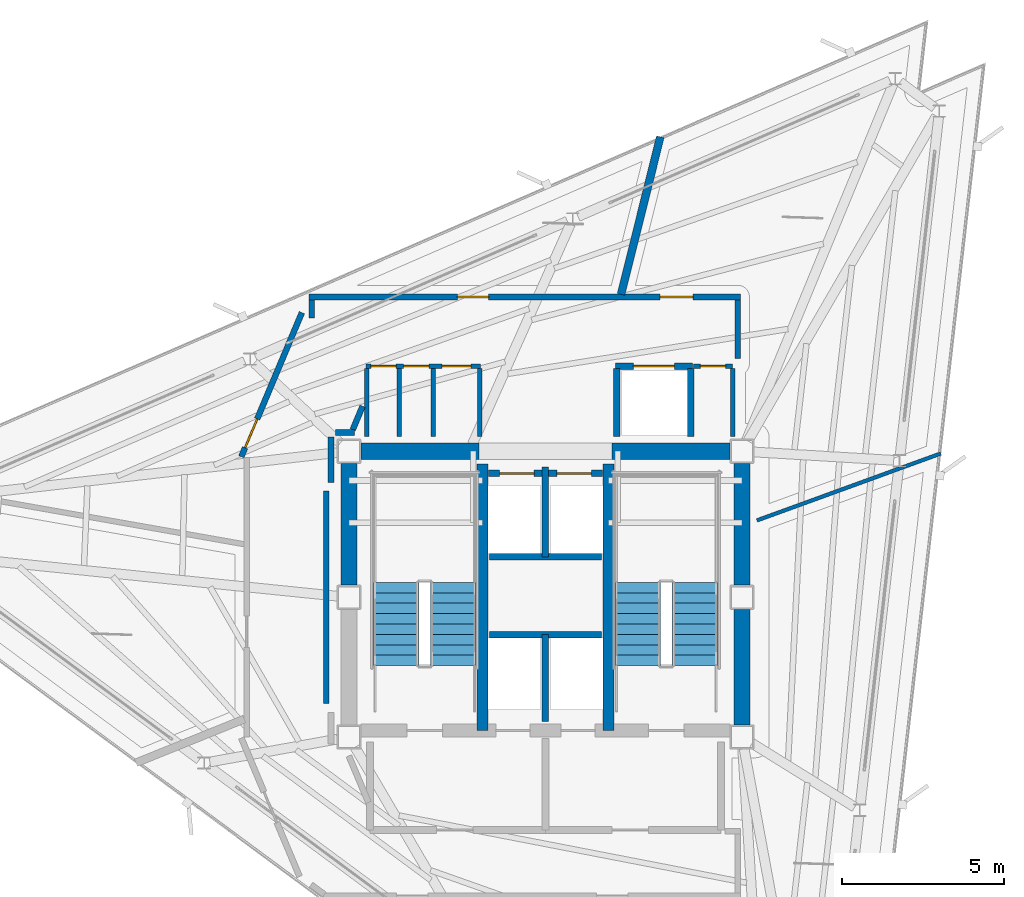
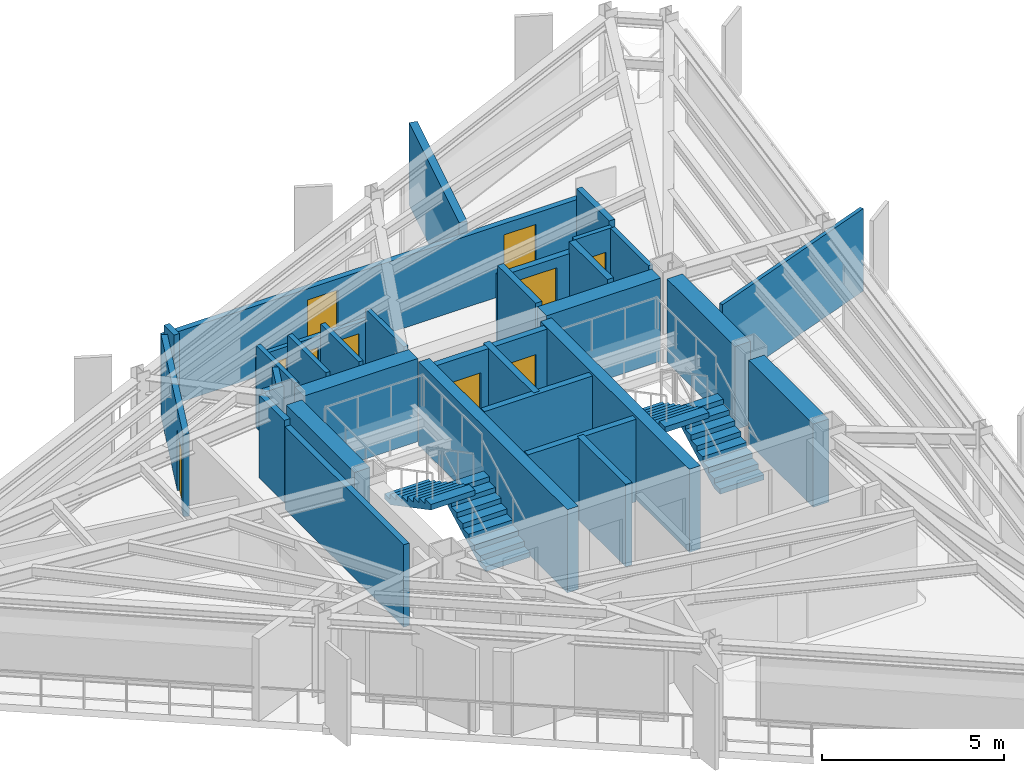
# One storey, part 6 of 10: 32 walls, 10 doors, 4 stair flights, 10 openings, 2 elements without a shape of their own.
"""IFC4 building model written with IfcOpenShell, lengths in metres."""

from ifc_helpers import new_model, si_unit, direction, frame, frame_2d, origin, place, context, subcontext, project, spatial, polyline, rectangle, outline, extrude, material, layer, layer_set, type_object, element, fill, aggregate, save


model = new_model("IFC4")

# Units and contexts
model_context = context("Model", 3, precision=1e-05, world=origin(), true_north=direction((0.0, 1.0)))
body_context = subcontext(model_context, "Body", "Model", "MODEL_VIEW")
ifc_project = project(units=[si_unit("LENGTHUNIT", "METRE"), si_unit("AREAUNIT", "SQUARE_METRE"), si_unit("VOLUMEUNIT", "CUBIC_METRE"), si_unit("PLANEANGLEUNIT", "RADIAN"), si_unit("MASSUNIT", "GRAM", prefix="KILO")], contexts=[model_context])

# Site, building, storey
site_placement = place(None, origin())
site = spatial("IfcSite", under=ifc_project, at=site_placement, CompositionType="ELEMENT")
building_placement = place(site_placement, origin())
building = spatial("IfcBuilding", under=site, at=building_placement, Name="Rocaltana Carrier Exchange", CompositionType="ELEMENT")
storey_placement = place(building_placement, frame((0.0, 0.0, 217.919921875)))
storey = spatial("IfcBuildingStorey", under=building, at=storey_placement, Name="L69", CompositionType="ELEMENT", Elevation=217.919921875)

# Walls
ifc_material_1 = material(Name="Concrete C50/60", Category="concrete")
ifc_layer_1 = layer(ifc_material_1, 0.35009765625)
ifc_layer_set_1 = layer_set([ifc_layer_1], Name="Concrete C50/60")
wall_type_1 = type_object("IfcWallType", Name="Core Internal Shear Wall 350", PredefinedType="SHEAR", material=ifc_layer_set_1)
for number, where, z_axis, x_axis, name in (
    (1, (-1.93994140625, -4.10009765625, 0.0), (0.0, 0.0, 1.0), (0.0, 1.0, 0.0), "L69 Core Shear Wall CW-STW"),
    (2, (1.93994140625, -4.10009765625, 0.0), (0.0, 0.0, 1.0), (0.0, 1.0, 0.0), "L69 Core Shear Wall CW-STE"),
):
    element("IfcWall", number, at=place(storey_placement, frame(where, z_axis=z_axis, x_axis=x_axis)), inside=storey, type_object=wall_type_1, Name=name, PredefinedType="SHEAR", context=body_context, shape_type="SweptSolid", body=[
        extrude(rectangle(XDim=8.2001953125, YDim=0.35009765625, at=frame_2d((4.10009765625, 0.0))), origin(), (0.0, 0.0, 1.0), 2.798095703125),
    ])
ifc_material_2 = material(Name="Concrete C50/60", Category="concrete")
ifc_layer_2 = layer(ifc_material_2, 0.5)
ifc_layer_set_2 = layer_set([ifc_layer_2], Name="Concrete C50/60")
wall_type_2 = type_object("IfcWallType", Name="Core Shear Wall 500", PredefinedType="SHEAR", material=ifc_layer_set_2)
for number, where, z_axis, x_axis, name in (
    (3, (-6.050048828125, 0.375, 0.0), (0.0, 0.0, 1.0), (0.0, 1.0, 0.0), "L69 Core Shear Wall CW-WN"),
    (4, (6.050048828125, 0.375, 0.0), (0.0, 0.0, 1.0), (0.0, 1.0, 0.0), "L69 Core Shear Wall CW-EN"),
):
    element("IfcWall", number, at=place(storey_placement, frame(where, z_axis=z_axis, x_axis=x_axis)), inside=storey, type_object=wall_type_2, Name=name, PredefinedType="SHEAR", context=body_context, shape_type="SweptSolid", body=[
        extrude(rectangle(XDim=3.75, YDim=0.5, at=frame_2d((1.875, 0.0))), origin(), (0.0, 0.0, 1.0), 2.798095703125),
    ])
wall_1_placement = place(storey_placement, frame((6.050048828125, -3.925048828125, 0.0), z_axis=(0.0, 0.0, 1.0), x_axis=(0.0, 1.0, 0.0)))
element("IfcWall", 5, at=wall_1_placement, inside=storey, type_object=wall_type_2, Name="L69 Core Shear Wall CW-ES", PredefinedType="SHEAR", context=body_context, shape_type="SweptSolid", body=[
    extrude(rectangle(XDim=3.550048828125, YDim=0.5, at=frame_2d((1.77490234375, 0.0))), origin(), (0.0, 0.0, 1.0), 2.798095703125),
])
for number, where, z_axis, x_axis, name in (
    (6, (-5.675048828125, 4.5, 0.0), (0.0, 0.0, 1.0), (1.0, 0.0, 0.0), "L69 Core Shear Wall CW-N1"),
    (7, (2.050048828125, 4.5, 0.0), (0.0, 0.0, 1.0), (1.0, 0.0, 0.0), "L69 Core Shear Wall CW-N2"),
):
    element("IfcWall", number, at=place(storey_placement, frame(where, z_axis=z_axis, x_axis=x_axis)), inside=storey, type_object=wall_type_2, Name=name, PredefinedType="SHEAR", context=body_context, shape_type="SweptSolid", body=[
        extrude(rectangle(XDim=3.625, YDim=0.5, at=frame_2d((1.8125, 0.0))), origin(), (0.0, 0.0, 1.0), 2.798095703125),
    ])

# Wall, opening, door
ifc_material_3 = material(Name="Gypsum & Steel Stud Partition", Category="steel")
ifc_layer_3 = layer(ifc_material_3, 0.179931640625)
ifc_layer_set_3 = layer_set([ifc_layer_3], Name="Gypsum & Steel Stud Partition")
wall_type_3 = type_object("IfcWallType", Name="Corridor Fire Partition 180 EI60", PredefinedType="PARTITIONING", material=ifc_layer_set_3)
wall_2_placement = place(storey_placement, frame((-9.36669921875, 4.331787109375, 0.0), z_axis=(0.0, 0.0, 1.0), x_axis=(0.387573945081, 0.921838617706, 0.0)))
wall_2 = element("IfcWall", 8, at=wall_2_placement, inside=storey, type_object=wall_type_3, Name="L69 Corridor Partition 3", PredefinedType="PARTITIONING", context=body_context, shape_type="SweptSolid", body=[
    extrude(rectangle(XDim=4.813232421875, YDim=0.179931640625, at=frame_2d((2.40673828125, 0.0))), origin(), (0.0, 0.0, 1.0), 2.773193359375),
])
opening_1_placement = place(wall_2_placement, frame((0.302490234375, 0.0, 0.0)))
opening_1 = element("IfcOpeningElement", 9, at=opening_1_placement, cuts=wall_2, Name="Opening D-RM098", PredefinedType="OPENING", context=body_context, shape_type="SweptSolid", body=[
    extrude(rectangle(XDim=0.9599609375, YDim=2.02001953125, at=frame_2d((0.47998046875, 1.010009765625))), frame((0.0, 0.099853515625, 0.0), z_axis=(0.0, -1.0, 0.0), x_axis=(1.0, 0.0, 0.0)), (0.0, 0.0, 1.0), 0.199951171875),
])
ifc_material_4 = material(Name="Engineered Hardwood Timber", Category="wood")
door_type_1 = type_object("IfcDoorType", Name="Workspace Single Door 960x2020", OperationType="NOTDEFINED", PredefinedType="DOOR", material=ifc_material_4)
door_1_placement = place(opening_1_placement, origin())
door_1 = element("IfcDoor", 10, at=door_1_placement, inside=storey, type_object=door_type_1, Name="L69 Quiet Focus Lounge Entrance Door", OperationType="SINGLE_SWING_RIGHT", OverallHeight=2.02001953125, OverallWidth=0.9599609375, PredefinedType="DOOR", context=body_context, shape_type="SweptSolid", body=[
    extrude(rectangle(XDim=0.9599609375, YDim=2.02001953125, at=frame_2d((0.47998046875, 1.010009765625))), frame((0.0, 0.02490234375, 0.0), z_axis=(0.0, -1.0, 0.0), x_axis=(1.0, 0.0, 0.0)), (0.0, 0.0, 1.0), 0.050048828125),
])
fill(opening_1, door_1)

# Wall
wall_3_placement = place(storey_placement, frame((-7.199951171875, 8.6005859375, 0.0), z_axis=(0.0, 0.0, 1.0), x_axis=(0.0, 1.0, 0.0)))
element("IfcWall", 11, at=wall_3_placement, inside=storey, type_object=wall_type_3, Name="L69 Corridor Partition 4", PredefinedType="PARTITIONING", context=body_context, shape_type="SweptSolid", body=[
    extrude(rectangle(XDim=0.559326171875, YDim=0.179931640625, at=frame_2d((0.27978515625, 0.0))), origin(), (0.0, 0.0, 1.0), 2.773193359375),
])

# Wall, openings, doors
wall_4_placement = place(storey_placement, frame((-7.2900390625, 9.25, 0.0), z_axis=(0.0, 0.0, 1.0), x_axis=(1.0, 0.0, 0.0)))
wall_4 = element("IfcWall", 12, at=wall_4_placement, inside=storey, type_object=wall_type_3, Name="L69 Corridor Partition 5", PredefinedType="PARTITIONING", context=body_context, shape_type="SweptSolid", body=[
    extrude(rectangle(XDim=13.300048828125, YDim=0.179931640625, at=frame_2d((6.64990234375, 0.0))), origin(), (0.0, 0.0, 1.0), 2.39501953125),
])
opening_2_placement = place(wall_4_placement, frame((10.819091796875, 0.0, 0.0)))
opening_2 = element("IfcOpeningElement", 13, at=opening_2_placement, cuts=wall_4, Name="Opening D-LB104", PredefinedType="OPENING", context=body_context, shape_type="SweptSolid", body=[
    extrude(rectangle(XDim=1.02001953125, YDim=2.02001953125, at=frame_2d((0.510009765625, 1.010009765625))), frame((0.0, 0.099853515625, 0.0), z_axis=(0.0, -1.0, 0.0), x_axis=(1.0, 0.0, 0.0)), (0.0, 0.0, 1.0), 0.199951171875),
])
opening_3_placement = place(wall_4_placement, frame((4.5751953125, 0.0, 0.0)))
opening_3 = element("IfcOpeningElement", 14, at=opening_3_placement, cuts=wall_4, Name="Opening D-RM098", PredefinedType="OPENING", context=body_context, shape_type="SweptSolid", body=[
    extrude(rectangle(XDim=0.9599609375, YDim=2.02001953125, at=frame_2d((0.47998046875, 1.010009765625))), frame((0.0, 0.099853515625, 0.0), z_axis=(0.0, -1.0, 0.0), x_axis=(1.0, 0.0, 0.0)), (0.0, 0.0, 1.0), 0.199951171875),
])
ifc_material_5 = material(Name="Powder-Coated Aluminium 6063-T6", Category="aluminium")
door_type_2 = type_object("IfcDoorType", Name="Laboratory Acoustic Door 1020x2020", OperationType="NOTDEFINED", PredefinedType="DOOR", material=ifc_material_5)
door_2_placement = place(opening_2_placement, origin())
door_2 = element("IfcDoor", 15, at=door_2_placement, inside=storey, type_object=door_type_2, Name="L69 Protocol Calibration Laboratory Entrance Door", OperationType="SINGLE_SWING_RIGHT", OverallHeight=2.02001953125, OverallWidth=1.02001953125, PredefinedType="DOOR", context=body_context, shape_type="SweptSolid", body=[
    extrude(rectangle(XDim=1.02001953125, YDim=2.02001953125, at=frame_2d((0.510009765625, 1.010009765625))), frame((0.0, 0.02490234375, 0.0), z_axis=(0.0, -1.0, 0.0), x_axis=(1.0, 0.0, 0.0)), (0.0, 0.0, 1.0), 0.050048828125),
])
fill(opening_2, door_2)
door_3_placement = place(opening_3_placement, origin())
door_3 = element("IfcDoor", 16, at=door_3_placement, inside=storey, type_object=door_type_1, Name="L69 Network Engineering Studio Entrance Door", OperationType="SINGLE_SWING_LEFT", OverallHeight=2.02001953125, OverallWidth=0.9599609375, PredefinedType="DOOR", context=body_context, shape_type="SweptSolid", body=[
    extrude(rectangle(XDim=0.9599609375, YDim=2.02001953125, at=frame_2d((0.47998046875, 1.010009765625))), frame((0.0, 0.02490234375, 0.0), z_axis=(0.0, -1.0, 0.0), x_axis=(1.0, 0.0, 0.0)), (0.0, 0.0, 1.0), 0.050048828125),
])
fill(opening_3, door_3)

# Walls
wall_5_placement = place(storey_placement, frame((5.919921875, 9.159912109375, 0.0), z_axis=(0.0, 0.0, 1.0), x_axis=(0.0, -1.0, 0.0)))
element("IfcWall", 17, at=wall_5_placement, inside=storey, type_object=wall_type_3, Name="L69 Corridor Partition 6", PredefinedType="PARTITIONING", context=body_context, shape_type="SweptSolid", body=[
    extrude(rectangle(XDim=1.7998046875, YDim=0.179931640625, at=frame_2d((0.89990234375, 0.0))), origin(), (0.0, 0.0, 1.0), 2.773193359375),
])
wall_6_placement = place(storey_placement, frame((-5.632080078125, 5.88671875, 0.0), z_axis=(0.0, 0.0, 1.0), x_axis=(-0.387792833522, -0.921746558588, 0.0)))
element("IfcWall", 18, at=wall_6_placement, inside=storey, type_object=wall_type_3, Name="L69 Corridor Partition 8", PredefinedType="PARTITIONING", context=body_context, shape_type="SweptSolid", body=[
    extrude(rectangle(XDim=0.78515625, YDim=0.179931640625, at=frame_2d((0.392578125, 0.0))), origin(), (0.0, 0.0, 1.0), 2.773193359375),
])
wall_7_placement = place(storey_placement, frame((-5.88134765625, 5.080078125, 0.0), z_axis=(0.0, 0.0, 1.0), x_axis=(-1.0, 0.0, 0.0)))
element("IfcWall", 19, at=wall_7_placement, inside=storey, type_object=wall_type_3, Name="L69 Corridor Partition 9", PredefinedType="PARTITIONING", context=body_context, shape_type="SweptSolid", body=[
    extrude(rectangle(XDim=0.588623046875, YDim=0.179931640625, at=frame_2d((0.29443359375, 0.0))), origin(), (0.0, 0.0, 1.0), 2.773193359375),
])
wall_8_placement = place(storey_placement, frame((-6.610107421875, 4.93994140625, 0.0), z_axis=(0.0, 0.0, 1.0), x_axis=(0.0, -1.0, 0.0)))
element("IfcWall", 20, at=wall_8_placement, inside=storey, type_object=wall_type_3, Name="L69 Corridor Partition 10", PredefinedType="PARTITIONING", context=body_context, shape_type="SweptSolid", body=[
    extrude(rectangle(XDim=1.398681640625, YDim=0.179931640625, at=frame_2d((0.69921875, 0.0))), origin(), (0.0, 0.0, 1.0), 2.773193359375),
])
wall_9_placement = place(storey_placement, frame((-6.75, 3.2734375, 0.0), z_axis=(0.0, 0.0, 1.0), x_axis=(0.0, -1.0, 0.0)))
element("IfcWall", 21, at=wall_9_placement, inside=storey, type_object=wall_type_3, Name="L69 Corridor Partition 11", PredefinedType="PARTITIONING", context=body_context, shape_type="SweptSolid", body=[
    extrude(rectangle(XDim=6.546875, YDim=0.179931640625, at=frame_2d((3.2734375, 0.0))), origin(), (0.0, 0.0, 1.0), 2.773193359375),
])
ifc_material_6 = material(Name="Aluminium 6063-T6 & Acoustic Glass", Category="aluminium")
ifc_layer_4 = layer(ifc_material_6, 0.114990234375)
ifc_layer_set_4 = layer_set([ifc_layer_4], Name="Aluminium 6063-T6 & Acoustic Glass")
wall_type_4 = type_object("IfcWallType", Name="Demountable Glazed Lab Partition 115", PredefinedType="MOVABLE", material=ifc_layer_set_4)
wall_10_placement = place(storey_placement, frame((6.510009765625, 2.369384765625, 0.0), z_axis=(0.0, 0.0, 1.0), x_axis=(0.939690503952, 0.342025959222, 0.0)))
element("IfcWall", 22, at=wall_10_placement, inside=storey, type_object=wall_type_4, Name="L69 Suite Divider Wall D3", PredefinedType="MOVABLE", context=body_context, shape_type="SweptSolid", body=[
    extrude(rectangle(XDim=6.028076171875, YDim=0.114990234375, at=frame_2d((3.01416015625, 0.0))), origin(), (0.0, 0.0, 1.0), 2.773193359375),
])
ifc_material_7 = material(Name="Acoustic Calcium Silicate Partition", Category="gypsum")
ifc_layer_5 = layer(ifc_material_7, 0.239990234375)
ifc_layer_set_5 = layer_set([ifc_layer_5], Name="Acoustic Calcium Silicate Partition")
wall_type_5 = type_object("IfcWallType", Name="Heavy Lab Partition 240 EI90", PredefinedType="PARTITIONING", material=ifc_layer_set_5)
wall_11_placement = place(storey_placement, frame((2.326171875, 9.330078125, 0.0), z_axis=(0.0, 0.0, 1.0), x_axis=(0.24192658113, 0.97029455803, 0.0)))
element("IfcWall", 23, at=wall_11_placement, inside=storey, type_object=wall_type_5, Name="L69 Suite Divider Wall D4", PredefinedType="PARTITIONING", context=body_context, shape_type="SweptSolid", body=[
    extrude(rectangle(XDim=4.999267578125, YDim=0.239990234375, at=frame_2d((2.49951171875, 0.0))), origin(), (0.0, 0.0, 1.0), 2.773193359375),
])
ifc_material_8 = material(Name="Reinforced Concrete Block C35/45", Category="concrete")
ifc_layer_6 = layer(ifc_material_8, 0.199951171875)
ifc_layer_set_6 = layer_set([ifc_layer_6], Name="Reinforced Concrete Block C35/45")
wall_type_6 = type_object("IfcWallType", Name="Lift Hoistway Enclosure Wall 200 EI120", PredefinedType="PARTITIONING", material=ifc_layer_set_6)
wall_12_placement = place(storey_placement, frame((0.0, -3.820068359375, 0.0), z_axis=(0.0, 0.0, 1.0), x_axis=(0.0, 1.0, 0.0)))
element("IfcWall", 24, at=wall_12_placement, inside=storey, type_object=wall_type_6, Name="L69 FFL Shaft Divider", PredefinedType="PARTITIONING", context=body_context, shape_type="SweptSolid", body=[
    extrude(rectangle(XDim=2.670166015625, YDim=0.199951171875, at=frame_2d((1.3349609375, 0.0))), origin(), (0.0, 0.0, 1.0), 2.773193359375),
])
wall_13_placement = place(storey_placement, frame((-1.719970703125, -1.14990234375, 0.0), z_axis=(0.0, 0.0, 1.0), x_axis=(1.0, 0.0, 0.0)))
element("IfcWall", 25, at=wall_13_placement, inside=storey, type_object=wall_type_6, Name="L69 FFL Shaft Back Wall", PredefinedType="PARTITIONING", context=body_context, shape_type="SweptSolid", body=[
    extrude(rectangle(XDim=3.43994140625, YDim=0.199951171875, at=frame_2d((1.719970703125, 0.0))), origin(), (0.0, 0.0, 1.0), 2.773193359375),
])
wall_14_placement = place(storey_placement, frame((0.0, 1.25, 0.0), z_axis=(0.0, 0.0, 1.0), x_axis=(0.0, 1.0, 0.0)))
element("IfcWall", 26, at=wall_14_placement, inside=storey, type_object=wall_type_6, Name="L69 High-Rise Shaft Divider", PredefinedType="PARTITIONING", context=body_context, shape_type="SweptSolid", body=[
    extrude(rectangle(XDim=2.77001953125, YDim=0.199951171875, at=frame_2d((1.385009765625, 0.0))), origin(), (0.0, 0.0, 1.0), 2.773193359375),
])
wall_15_placement = place(storey_placement, frame((-1.719970703125, 1.25, 0.0), z_axis=(0.0, 0.0, 1.0), x_axis=(1.0, 0.0, 0.0)))
element("IfcWall", 27, at=wall_15_placement, inside=storey, type_object=wall_type_6, Name="L69 High-Rise Shaft Back Wall", PredefinedType="PARTITIONING", context=body_context, shape_type="SweptSolid", body=[
    extrude(rectangle(XDim=3.43994140625, YDim=0.199951171875, at=frame_2d((1.719970703125, 0.0))), origin(), (0.0, 0.0, 1.0), 2.773193359375),
])

# Wall, openings, doors
wall_16_placement = place(storey_placement, frame((-1.760009765625, 3.820068359375, 0.0), z_axis=(0.0, 0.0, 1.0), x_axis=(1.0, 0.0, 0.0)))
wall_16 = element("IfcWall", 28, at=wall_16_placement, inside=storey, type_object=wall_type_6, Name="L69 High-Rise Lift Front Wall", PredefinedType="PARTITIONING", context=body_context, shape_type="SweptSolid", body=[
    extrude(rectangle(XDim=3.52001953125, YDim=0.199951171875, at=frame_2d((1.760009765625, 0.0))), origin(), (0.0, 0.0, 1.0), 2.773193359375),
])
opening_4_placement = place(wall_16_placement, frame((0.35009765625, 0.0, 0.0)))
opening_4 = element("IfcOpeningElement", 29, at=opening_4_placement, cuts=wall_16, Name="Opening LD-110", PredefinedType="OPENING", context=body_context, shape_type="SweptSolid", body=[
    extrude(rectangle(XDim=1.06005859375, YDim=2.0400390625, at=frame_2d((0.530029296875, 1.02001953125))), frame((0.0, 0.10986328125, 0.0), z_axis=(0.0, -1.0, 0.0), x_axis=(1.0, 0.0, 0.0)), (0.0, 0.0, 1.0), 0.219970703125),
])
opening_5_placement = place(wall_16_placement, frame((2.110107421875, 0.0, 0.0)))
opening_5 = element("IfcOpeningElement", 30, at=opening_5_placement, cuts=wall_16, Name="Opening LD-110", PredefinedType="OPENING", context=body_context, shape_type="SweptSolid", body=[
    extrude(rectangle(XDim=1.06005859375, YDim=2.0400390625, at=frame_2d((0.530029296875, 1.02001953125))), frame((0.0, 0.10986328125, 0.0), z_axis=(0.0, -1.0, 0.0), x_axis=(1.0, 0.0, 0.0)), (0.0, 0.0, 1.0), 0.219970703125),
])
ifc_material_9 = material(Name="Brushed Stainless Sliding Door Leaf", Category="steel")
door_type_3 = type_object("IfcDoorType", Name="Lift Landing Sliding Door 1060x2040", OperationType="NOTDEFINED", PredefinedType="DOOR", material=ifc_material_9)
door_4_placement = place(opening_4_placement, origin())
door_4 = element("IfcDoor", 31, at=door_4_placement, inside=storey, type_object=door_type_3, Name="L69 High-Rise Lift PLH1 Landing Door", OperationType="SLIDING_TO_LEFT", OverallHeight=2.0400390625, OverallWidth=1.06005859375, PredefinedType="DOOR", context=body_context, shape_type="SweptSolid", body=[
    extrude(rectangle(XDim=1.06005859375, YDim=2.0400390625, at=frame_2d((0.530029296875, 1.02001953125))), frame((0.0, 0.02490234375, 0.0), z_axis=(0.0, -1.0, 0.0), x_axis=(1.0, 0.0, 0.0)), (0.0, 0.0, 1.0), 0.050048828125),
])
fill(opening_4, door_4)
door_5_placement = place(opening_5_placement, origin())
door_5 = element("IfcDoor", 32, at=door_5_placement, inside=storey, type_object=door_type_3, Name="L69 High-Rise Lift PLH2 Landing Door", OperationType="SLIDING_TO_RIGHT", OverallHeight=2.0400390625, OverallWidth=1.06005859375, PredefinedType="DOOR", context=body_context, shape_type="SweptSolid", body=[
    extrude(rectangle(XDim=1.06005859375, YDim=2.0400390625, at=frame_2d((0.530029296875, 1.02001953125))), frame((0.0, 0.02490234375, 0.0), z_axis=(0.0, -1.0, 0.0), x_axis=(1.0, 0.0, 0.0)), (0.0, 0.0, 1.0), 0.050048828125),
])
fill(opening_5, door_5)

# Walls
for number, where, z_axis, x_axis, name in (
    (33, (2.199951171875, 4.949951171875, 0.0), (0.0, 0.0, 1.0), (0.0, 1.0, 0.0), "L69 Goods Lift West Wall"),
    (34, (4.47998046875, 4.949951171875, 0.0), (0.0, 0.0, 1.0), (0.0, 1.0, 0.0), "L69 Goods Lift East Wall"),
):
    element("IfcWall", number, at=place(storey_placement, frame(where, z_axis=z_axis, x_axis=x_axis)), inside=storey, type_object=wall_type_6, Name=name, PredefinedType="PARTITIONING", context=body_context, shape_type="SweptSolid", body=[
        extrude(rectangle(XDim=2.10009765625, YDim=0.199951171875, at=frame_2d((1.050048828125, 0.0))), origin(), (0.0, 0.0, 1.0), 2.773193359375),
    ])

# Wall, opening, door
wall_17_placement = place(storey_placement, frame((2.14990234375, 7.1201171875, 0.0), z_axis=(0.0, 0.0, 1.0), x_axis=(1.0, 0.0, 0.0)))
wall_17 = element("IfcWall", 35, at=wall_17_placement, inside=storey, type_object=wall_type_6, Name="L69 Goods Lift Front Wall", PredefinedType="PARTITIONING", context=body_context, shape_type="SweptSolid", body=[
    extrude(rectangle(XDim=2.380126953125, YDim=0.199951171875, at=frame_2d((1.18994140625, 0.0))), origin(), (0.0, 0.0, 1.0), 2.39501953125),
])
opening_6_placement = place(wall_17_placement, frame((0.56005859375, 0.0, 0.0)))
opening_6 = element("IfcOpeningElement", 36, at=opening_6_placement, cuts=wall_17, Name="Opening LD-130", PredefinedType="OPENING", context=body_context, shape_type="SweptSolid", body=[
    extrude(rectangle(XDim=1.260009765625, YDim=2.06005859375, at=frame_2d((0.6298828125, 1.030029296875))), frame((0.0, 0.10986328125, 0.0), z_axis=(0.0, -1.0, 0.0), x_axis=(1.0, 0.0, 0.0)), (0.0, 0.0, 1.0), 0.219970703125),
])
ifc_material_10 = material(Name="Brushed Stainless Sliding Door Leaf", Category="steel")
door_type_4 = type_object("IfcDoorType", Name="Goods Lift Landing Sliding Door 1260x2060", OperationType="NOTDEFINED", PredefinedType="DOOR", material=ifc_material_10)
door_6_placement = place(opening_6_placement, origin())
door_6 = element("IfcDoor", 37, at=door_6_placement, inside=storey, type_object=door_type_4, Name="L69 Goods Lift GL-1 Landing Door", OperationType="SLIDING_TO_LEFT", OverallHeight=2.06005859375, OverallWidth=1.260009765625, PredefinedType="DOOR", context=body_context, shape_type="SweptSolid", body=[
    extrude(rectangle(XDim=1.260009765625, YDim=2.06005859375, at=frame_2d((0.6298828125, 1.030029296875))), frame((0.0, 0.02490234375, 0.0), z_axis=(0.0, -1.0, 0.0), x_axis=(1.0, 0.0, 0.0)), (0.0, 0.0, 1.0), 0.050048828125),
])
fill(opening_6, door_6)

# Walls
ifc_material_11 = material(Name="Moisture-Resistant Masonry C30/37", Category="masonry")
ifc_layer_7 = layer(ifc_material_11, 0.139892578125)
ifc_layer_set_7 = layer_set([ifc_layer_7], Name="Moisture-Resistant Masonry C30/37")
wall_type_7 = type_object("IfcWallType", Name="Wet-Area Sanitary Partition 140", PredefinedType="PARTITIONING", material=ifc_layer_set_7)
for number, where, z_axis, x_axis, name in (
    (38, (-5.5, 4.949951171875, 0.0), (0.0, 0.0, 1.0), (0.0, 1.0, 0.0), "L69 Sanitary West Wall"),
    (39, (-4.5, 4.949951171875, 0.0), (0.0, 0.0, 1.0), (0.0, 1.0, 0.0), "L69 Sanitary Divider 1"),
    (40, (-3.449951171875, 4.949951171875, 0.0), (0.0, 0.0, 1.0), (0.0, 1.0, 0.0), "L69 Sanitary Divider 2"),
    (41, (-2.02001953125, 4.949951171875, 0.0), (0.0, 0.0, 1.0), (0.0, 1.0, 0.0), "L69 Sanitary East Wall"),
):
    element("IfcWall", number, at=place(storey_placement, frame(where, z_axis=z_axis, x_axis=x_axis)), inside=storey, type_object=wall_type_7, Name=name, PredefinedType="PARTITIONING", context=body_context, shape_type="SweptSolid", body=[
        extrude(rectangle(XDim=2.10009765625, YDim=0.139892578125, at=frame_2d((1.050048828125, 0.0))), origin(), (0.0, 0.0, 1.0), 2.773193359375),
    ])

# Wall, openings, doors
wall_18_placement = place(storey_placement, frame((-5.52001953125, 7.1201171875, 0.0), z_axis=(0.0, 0.0, 1.0), x_axis=(1.0, 0.0, 0.0)))
wall_18 = element("IfcWall", 42, at=wall_18_placement, inside=storey, type_object=wall_type_7, Name="L69 Sanitary North Wall", PredefinedType="PARTITIONING", context=body_context, shape_type="SweptSolid", body=[
    extrude(rectangle(XDim=3.52001953125, YDim=0.139892578125, at=frame_2d((1.760009765625, 0.0))), origin(), (0.0, 0.0, 1.0), 2.39501953125),
])
opening_7_placement = place(wall_18_placement, frame((0.139892578125, 0.0, 0.0)))
opening_7 = element("IfcOpeningElement", 43, at=opening_7_placement, cuts=wall_18, Name="Opening D-RS082", PredefinedType="OPENING", context=body_context, shape_type="SweptSolid", body=[
    extrude(rectangle(XDim=0.780029296875, YDim=2.010009765625, at=frame_2d((0.39013671875, 1.0048828125))), frame((0.0, 0.079833984375, 0.0), z_axis=(0.0, -1.0, 0.0), x_axis=(1.0, 0.0, 0.0)), (0.0, 0.0, 1.0), 0.159912109375),
])
opening_8_placement = place(wall_18_placement, frame((1.14990234375, 0.0, 0.0)))
opening_8 = element("IfcOpeningElement", 44, at=opening_8_placement, cuts=wall_18, Name="Opening D-RS082", PredefinedType="OPENING", context=body_context, shape_type="SweptSolid", body=[
    extrude(rectangle(XDim=0.780029296875, YDim=2.010009765625, at=frame_2d((0.39013671875, 1.0048828125))), frame((0.0, 0.079833984375, 0.0), z_axis=(0.0, -1.0, 0.0), x_axis=(1.0, 0.0, 0.0)), (0.0, 0.0, 1.0), 0.159912109375),
])
opening_9_placement = place(wall_18_placement, frame((2.340087890625, 0.0, 0.0)))
opening_9 = element("IfcOpeningElement", 45, at=opening_9_placement, cuts=wall_18, Name="Opening D-WC090", PredefinedType="OPENING", context=body_context, shape_type="SweptSolid", body=[
    extrude(rectangle(XDim=0.8798828125, YDim=2.02001953125, at=frame_2d((0.43994140625, 1.010009765625))), frame((0.0, 0.079833984375, 0.0), z_axis=(0.0, -1.0, 0.0), x_axis=(1.0, 0.0, 0.0)), (0.0, 0.0, 1.0), 0.159912109375),
])
ifc_material_12 = material(Name="High-Pressure Laminate Timber", Category="wood")
door_type_5 = type_object("IfcDoorType", Name="Restroom & Accessible WC Door 880x2020", OperationType="NOTDEFINED", PredefinedType="DOOR", material=ifc_material_12)
door_7_placement = place(opening_9_placement, origin())
door_7 = element("IfcDoor", 46, at=door_7_placement, inside=storey, type_object=door_type_5, Name="L69 Accessible Toilet Door", OperationType="SINGLE_SWING_RIGHT", OverallHeight=2.02001953125, OverallWidth=0.8798828125, PredefinedType="DOOR", context=body_context, shape_type="SweptSolid", body=[
    extrude(rectangle(XDim=0.8798828125, YDim=2.02001953125, at=frame_2d((0.43994140625, 1.010009765625))), frame((0.0, 0.02490234375, 0.0), z_axis=(0.0, -1.0, 0.0), x_axis=(1.0, 0.0, 0.0)), (0.0, 0.0, 1.0), 0.050048828125),
])
fill(opening_9, door_7)
ifc_material_13 = material(Name="Hollow Metal Access Door Leaf", Category="steel")
door_type_6 = type_object("IfcDoorType", Name="Riser & Service Closet Door 780x2010", OperationType="NOTDEFINED", PredefinedType="DOOR", material=ifc_material_13)
door_8_placement = place(opening_7_placement, origin())
door_8 = element("IfcDoor", 47, at=door_8_placement, inside=storey, type_object=door_type_6, Name="L69 Cleaner Store Door", OperationType="SINGLE_SWING_RIGHT", OverallHeight=2.010009765625, OverallWidth=0.780029296875, PredefinedType="DOOR", context=body_context, shape_type="SweptSolid", body=[
    extrude(rectangle(XDim=0.780029296875, YDim=2.010009765625, at=frame_2d((0.39013671875, 1.0048828125))), frame((0.0, 0.02490234375, 0.0), z_axis=(0.0, -1.0, 0.0), x_axis=(1.0, 0.0, 0.0)), (0.0, 0.0, 1.0), 0.050048828125),
])
fill(opening_7, door_8)
door_9_placement = place(opening_8_placement, origin())
door_9 = element("IfcDoor", 48, at=door_9_placement, inside=storey, type_object=door_type_6, Name="L69 Staff Restroom Door", OperationType="SINGLE_SWING_LEFT", OverallHeight=2.010009765625, OverallWidth=0.780029296875, PredefinedType="DOOR", context=body_context, shape_type="SweptSolid", body=[
    extrude(rectangle(XDim=0.780029296875, YDim=2.010009765625, at=frame_2d((0.39013671875, 1.0048828125))), frame((0.0, 0.02490234375, 0.0), z_axis=(0.0, -1.0, 0.0), x_axis=(1.0, 0.0, 0.0)), (0.0, 0.0, 1.0), 0.050048828125),
])
fill(opening_8, door_9)

# Wall
wall_19_placement = place(storey_placement, frame((5.760009765625, 4.949951171875, 0.0), z_axis=(0.0, 0.0, 1.0), x_axis=(0.0, 1.0, 0.0)))
element("IfcWall", 49, at=wall_19_placement, inside=storey, type_object=wall_type_7, Name="L69 Riser East Wall", PredefinedType="PARTITIONING", context=body_context, shape_type="SweptSolid", body=[
    extrude(rectangle(XDim=2.10009765625, YDim=0.139892578125, at=frame_2d((1.050048828125, 0.0))), origin(), (0.0, 0.0, 1.0), 2.773193359375),
])

# Wall, opening, door
wall_20_placement = place(storey_placement, frame((4.56005859375, 7.1201171875, 0.0), z_axis=(0.0, 0.0, 1.0), x_axis=(1.0, 0.0, 0.0)))
wall_20 = element("IfcWall", 50, at=wall_20_placement, inside=storey, type_object=wall_type_7, Name="L69 Riser North Wall", PredefinedType="PARTITIONING", context=body_context, shape_type="SweptSolid", body=[
    extrude(rectangle(XDim=1.199951171875, YDim=0.139892578125, at=frame_2d((0.60009765625, 0.0))), origin(), (0.0, 0.0, 1.0), 2.773193359375),
])
opening_10_placement = place(wall_20_placement, frame((0.2099609375, 0.0, 0.0)))
opening_10 = element("IfcOpeningElement", 51, at=opening_10_placement, cuts=wall_20, Name="Opening D-RS082", PredefinedType="OPENING", context=body_context, shape_type="SweptSolid", body=[
    extrude(rectangle(XDim=0.780029296875, YDim=2.010009765625, at=frame_2d((0.39013671875, 1.0048828125))), frame((0.0, 0.079833984375, 0.0), z_axis=(0.0, -1.0, 0.0), x_axis=(1.0, 0.0, 0.0)), (0.0, 0.0, 1.0), 0.159912109375),
])
door_10_placement = place(opening_10_placement, origin())
door_10 = element("IfcDoor", 52, at=door_10_placement, inside=storey, type_object=door_type_6, Name="L69 Signal Riser Closet Door", OperationType="SINGLE_SWING_LEFT", OverallHeight=2.010009765625, OverallWidth=0.780029296875, PredefinedType="DOOR", context=body_context, shape_type="SweptSolid", body=[
    extrude(rectangle(XDim=0.780029296875, YDim=2.010009765625, at=frame_2d((0.39013671875, 1.0048828125))), frame((0.0, 0.02490234375, 0.0), z_axis=(0.0, -1.0, 0.0), x_axis=(1.0, 0.0, 0.0)), (0.0, 0.0, 1.0), 0.050048828125),
])
fill(opening_10, door_10)

# Stair, stair flights
ifc_material_14 = material(Name="Precast concrete C45/55", Category="concrete")
stair_type = type_object("IfcStairType", Name="Standard Dog-Leg Stair 160", PredefinedType="HALF_TURN_STAIR", material=ifc_material_14)
stair_1_placement = place(storey_placement, origin())
stair_1 = element("IfcStair", 53, at=stair_1_placement, inside=storey, type_object=stair_type, Name="L69 Core West Exit Stair ST-1", PredefinedType="HALF_TURN_STAIR")
ifc_material_15 = material(Name="Precast concrete C45/55", Category="concrete")
stair_flight_type = type_object("IfcStairFlightType", Name="Precast Stair Flight 160", PredefinedType="STRAIGHT", material=ifc_material_15)
stair_flight_1_placement = place(storey_placement, frame((-2.840087890625, -2.10009765625, 0.0), z_axis=(0.0, 0.0, 1.0), x_axis=(0.0, 1.0, 0.0)))
stair_flight_1 = element("IfcStairFlight", 54, at=stair_flight_1_placement, type_object=stair_flight_type, Name="ST-1 flight 1", NumberOfRisers=9, NumberOfTreads=8, PredefinedType="STRAIGHT", RiserHeight=0.168888889, TreadLength=0.32, context=body_context, shape_type="SweptSolid", body=[
    extrude(outline(polyline([(0.0, 0.0), (0.0, 0.1689453125), (0.320068359375, 0.1689453125), (0.320068359375, 0.337890625), (0.639892578125, 0.337890625), (0.639892578125, 0.506591796875), (0.9599609375, 0.506591796875), (0.9599609375, 0.675537109375), (1.280029296875, 0.675537109375), (1.280029296875, 0.844482421875), (1.60009765625, 0.844482421875), (1.60009765625, 1.013427734375), (1.919921875, 1.013427734375), (1.919921875, 1.18212890625), (2.239990234375, 1.18212890625), (2.239990234375, 1.35107421875), (2.56005859375, 1.35107421875), (2.56005859375, 1.52001953125), (2.56005859375, 1.17041015625), (0.342529296875, 0.0), (0.0, 0.0)])), frame((0.0, 0.699951171875, 0.0), z_axis=(0.0, -1.0, 0.0), x_axis=(1.0, 0.0, 0.0)), (0.0, 0.0, 1.0), 1.39990234375),
])
stair_flight_2_placement = place(storey_placement, frame((-4.60009765625, 0.4599609375, 1.52001953125), z_axis=(0.0, 0.0, 1.0), x_axis=(0.0, -1.0, 0.0)))
stair_flight_2 = element("IfcStairFlight", 55, at=stair_flight_2_placement, type_object=stair_flight_type, Name="ST-1 flight 2", NumberOfRisers=9, NumberOfTreads=8, PredefinedType="STRAIGHT", RiserHeight=0.168888889, TreadLength=0.32, context=body_context, shape_type="SweptSolid", body=[
    extrude(outline(polyline([(0.0, 0.0), (0.0, 0.1689453125), (0.320068359375, 0.1689453125), (0.320068359375, 0.337890625), (0.639892578125, 0.337890625), (0.639892578125, 0.506591796875), (0.9599609375, 0.506591796875), (0.9599609375, 0.675537109375), (1.280029296875, 0.675537109375), (1.280029296875, 0.844482421875), (1.60009765625, 0.844482421875), (1.60009765625, 1.013427734375), (1.919921875, 1.013427734375), (1.919921875, 1.18212890625), (2.239990234375, 1.18212890625), (2.239990234375, 1.35107421875), (2.56005859375, 1.35107421875), (2.56005859375, 1.52001953125), (2.56005859375, 1.17041015625), (0.342529296875, 0.0), (0.0, 0.0)])), frame((0.0, 0.699951171875, 0.0), z_axis=(0.0, -1.0, 0.0), x_axis=(1.0, 0.0, 0.0)), (0.0, 0.0, 1.0), 1.39990234375),
])
aggregate(stair_1, [stair_flight_1, stair_flight_2])

stair_2_placement = place(storey_placement, origin())
stair_2 = element("IfcStair", 56, at=stair_2_placement, inside=storey, type_object=stair_type, Name="L69 Core East Exit Stair ST-2", PredefinedType="HALF_TURN_STAIR")
stair_flight_3_placement = place(storey_placement, frame((4.60009765625, -2.10009765625, 0.0), z_axis=(0.0, 0.0, 1.0), x_axis=(0.0, 1.0, 0.0)))
stair_flight_3 = element("IfcStairFlight", 57, at=stair_flight_3_placement, type_object=stair_flight_type, Name="ST-2 flight 1", NumberOfRisers=9, NumberOfTreads=8, PredefinedType="STRAIGHT", RiserHeight=0.168888889, TreadLength=0.32, context=body_context, shape_type="SweptSolid", body=[
    extrude(outline(polyline([(0.0, 0.0), (0.0, 0.1689453125), (0.320068359375, 0.1689453125), (0.320068359375, 0.337890625), (0.639892578125, 0.337890625), (0.639892578125, 0.506591796875), (0.9599609375, 0.506591796875), (0.9599609375, 0.675537109375), (1.280029296875, 0.675537109375), (1.280029296875, 0.844482421875), (1.60009765625, 0.844482421875), (1.60009765625, 1.013427734375), (1.919921875, 1.013427734375), (1.919921875, 1.18212890625), (2.239990234375, 1.18212890625), (2.239990234375, 1.35107421875), (2.56005859375, 1.35107421875), (2.56005859375, 1.52001953125), (2.56005859375, 1.17041015625), (0.342529296875, 0.0), (0.0, 0.0)])), frame((0.0, 0.699951171875, 0.0), z_axis=(0.0, -1.0, 0.0), x_axis=(1.0, 0.0, 0.0)), (0.0, 0.0, 1.0), 1.39990234375),
])
stair_flight_4_placement = place(storey_placement, frame((2.840087890625, 0.4599609375, 1.52001953125), z_axis=(0.0, 0.0, 1.0), x_axis=(0.0, -1.0, 0.0)))
stair_flight_4 = element("IfcStairFlight", 58, at=stair_flight_4_placement, type_object=stair_flight_type, Name="ST-2 flight 2", NumberOfRisers=9, NumberOfTreads=8, PredefinedType="STRAIGHT", RiserHeight=0.168888889, TreadLength=0.32, context=body_context, shape_type="SweptSolid", body=[
    extrude(outline(polyline([(0.0, 0.0), (0.0, 0.1689453125), (0.320068359375, 0.1689453125), (0.320068359375, 0.337890625), (0.639892578125, 0.337890625), (0.639892578125, 0.506591796875), (0.9599609375, 0.506591796875), (0.9599609375, 0.675537109375), (1.280029296875, 0.675537109375), (1.280029296875, 0.844482421875), (1.60009765625, 0.844482421875), (1.60009765625, 1.013427734375), (1.919921875, 1.013427734375), (1.919921875, 1.18212890625), (2.239990234375, 1.18212890625), (2.239990234375, 1.35107421875), (2.56005859375, 1.35107421875), (2.56005859375, 1.52001953125), (2.56005859375, 1.17041015625), (0.342529296875, 0.0), (0.0, 0.0)])), frame((0.0, 0.699951171875, 0.0), z_axis=(0.0, -1.0, 0.0), x_axis=(1.0, 0.0, 0.0)), (0.0, 0.0, 1.0), 1.39990234375),
])
aggregate(stair_2, [stair_flight_3, stair_flight_4])

save(model, "model.ifc")
